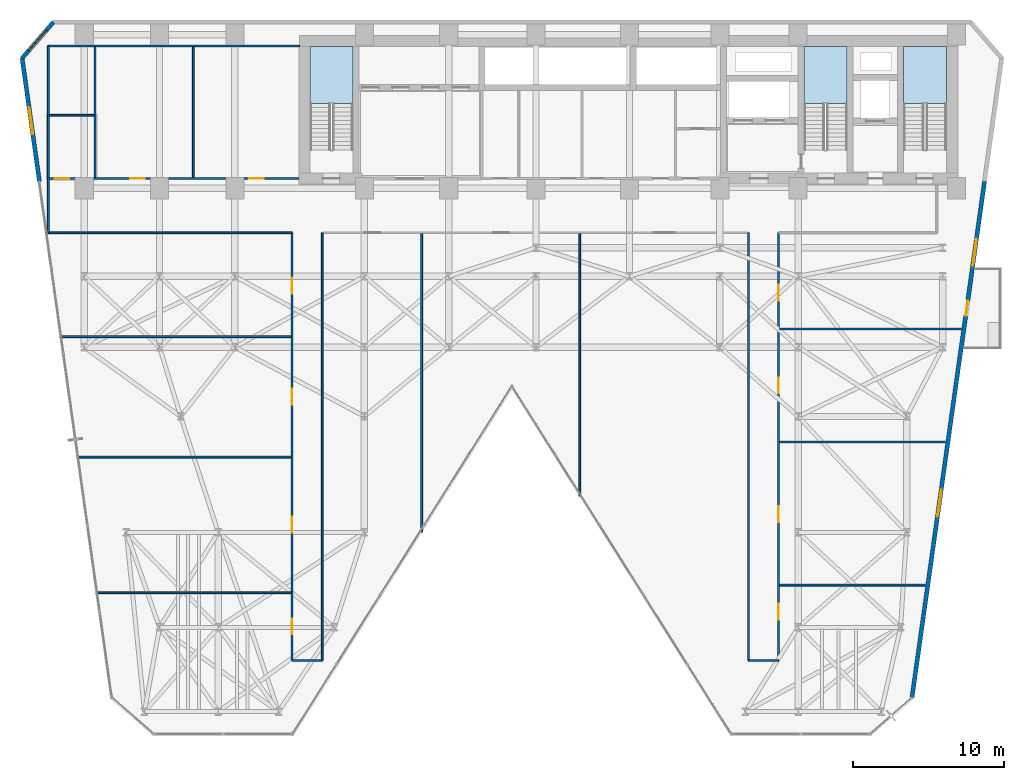
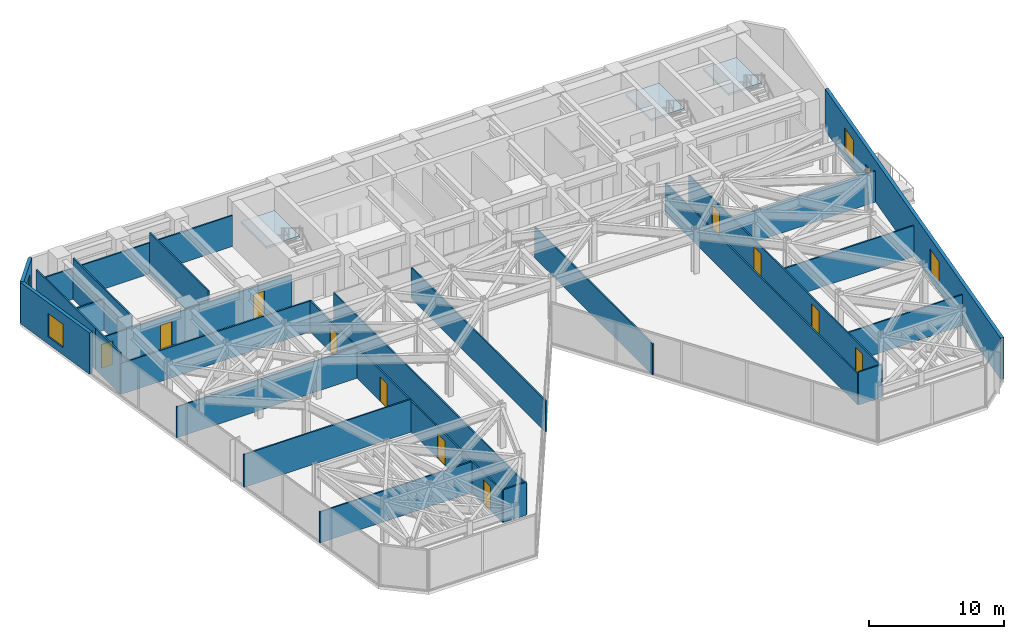
# One storey, part 19 of 25: 25 walls, 12 doors, 4 windows, 3 slabs, 16 openings, 3 elements without a shape of their own.
"""IFC4 building model written with IfcOpenShell, lengths in metres."""

import ifcopenshell
import ifcopenshell.guid

model = None  # the IFC model being written
_history = None  # IfcOwnerHistory: only IFC2X3 demands one
_inside = {}  # id of a spatial element -> (the spatial element, [elements in it])
_under = {}  # id of a project, library or spatial element -> (it, [spatial elements below it])
_declared = {}  # id of a project -> (the project, [libraries it declares])
_typed = {}  # id of a type object -> (the type object, [elements of that type])
_made_of = {}  # id of a material, layer set ... -> (it, [elements and type objects made of it])


def new_model(schema):
    """Start an empty IFC model of exactly this schema.

    Asked for "IFC4X3", IfcOpenShell would pick the latest addendum, in which some entities
    have other attributes; the version numbers below select the first issue.
    IFC2X3 requires an IfcOwnerHistory on every rooted entity: one is made here for all.
    """
    global model, _history
    if schema == "IFC4X3":
        model = ifcopenshell.file(schema_version=(4, 3, 0, 0))
    else:
        model = ifcopenshell.file(schema=schema)
    _inside.clear()
    _under.clear()
    _declared.clear()
    _typed.clear()
    _made_of.clear()
    _history = None
    if model.schema == "IFC2X3":
        org = make("IfcOrganization", Name="unknown")
        user = make(
            "IfcPersonAndOrganization",
            ThePerson=make("IfcPerson", FamilyName="unknown"),
            TheOrganization=org,
        )
        app = make(
            "IfcApplication",
            ApplicationDeveloper=org,
            Version="unknown",
            ApplicationFullName="unknown",
            ApplicationIdentifier="unknown",
        )
        _history = make(
            "IfcOwnerHistory",
            OwningUser=user,
            OwningApplication=app,
            ChangeAction="ADDED",
            CreationDate=0,
        )
    return model


def make(cls, **values):
    """One entity of the class cls with the attributes given. An attribute that is None is left unset."""
    return model.create_entity(
        cls, **{name: value for name, value in values.items() if value is not None}
    )


def rooted(cls, **values):
    """An entity with a GlobalId (a new one), such as an element, a storey or a relation."""
    return make(cls, GlobalId=ifcopenshell.guid.new(), OwnerHistory=_history, **values)


def si_unit(unit_type, name, prefix=None):
    """IfcSIUnit, for example si_unit("LENGTHUNIT", "METRE", prefix="MILLI")."""
    return make("IfcSIUnit", UnitType=unit_type, Prefix=prefix, Name=name)


def assignment(units):
    """IfcUnitAssignment: the units of a project."""
    return None if units is None else make("IfcUnitAssignment", Units=units)


def point(xyz):
    """IfcCartesianPoint."""
    return None if xyz is None else make("IfcCartesianPoint", Coordinates=xyz)


def direction(xyz):
    """IfcDirection."""
    return None if xyz is None else make("IfcDirection", DirectionRatios=xyz)


def frame(location, z_axis=None, x_axis=None):
    """IfcAxis2Placement3D, a coordinate frame: its origin and axes. An axis left out is left unset."""
    return make(
        "IfcAxis2Placement3D",
        Location=point(location),
        Axis=direction(z_axis),
        RefDirection=direction(x_axis),
    )


def frame_2d(location, x_axis=None):
    """IfcAxis2Placement2D, a coordinate frame in the plane: its origin and x axis."""
    return make(
        "IfcAxis2Placement2D", Location=point(location), RefDirection=direction(x_axis)
    )


def origin():
    """The frame at (0, 0, 0) with its axes left unset."""
    return frame((0.0, 0.0, 0.0))


def place(relative_to, where):
    """IfcLocalPlacement: puts the frame where relative to a parent placement (None: the world)."""
    return make(
        "IfcLocalPlacement", PlacementRelTo=relative_to, RelativePlacement=where
    )


def context(
    kind, dimensions, precision=None, world=None, true_north=None, identifier=None
):
    """IfcGeometricRepresentationContext, for example the 3D "Model" context."""
    return make(
        "IfcGeometricRepresentationContext",
        ContextIdentifier=identifier,
        ContextType=kind,
        CoordinateSpaceDimension=dimensions,
        Precision=precision,
        WorldCoordinateSystem=world,
        TrueNorth=true_north,
    )


def subcontext(parent, identifier, kind, view, scale=None):
    """IfcGeometricRepresentationSubContext, for example "Body" below "Model"."""
    return make(
        "IfcGeometricRepresentationSubContext",
        ContextIdentifier=identifier,
        ContextType=kind,
        ParentContext=parent,
        TargetScale=scale,
        TargetView=view,
    )


def project(units=None, contexts=None):
    """IfcProject with its units and contexts."""
    return rooted(
        "IfcProject",
        Name="project",
        RepresentationContexts=contexts,
        UnitsInContext=assignment(units),
    )


def spatial(cls, under=None, at=None, **own):
    """A site, building, storey or space (cls), placed at a placement, below another one or the project."""
    s = rooted(cls, ObjectPlacement=at, **own)
    if under is not None:
        _under.setdefault(under.id(), (under, []))[1].append(s)
    return s


def polyline(points):
    """IfcPolyline through the points."""
    return make("IfcPolyline", Points=[point(p) for p in points])


def profile(cls, at=None, kind="AREA", **sizes):
    """A parametric profile (cls). Its sizes go by their IFC names, for example OverallWidth=200.0."""
    return make(cls, ProfileType=kind, Position=at, **sizes)


def rectangle(**sizes):
    """IfcRectangleProfileDef."""
    return profile("IfcRectangleProfileDef", **sizes)


def outline(outer, holes=None, kind="AREA"):
    """IfcArbitraryClosedProfileDef: a profile drawn as a closed curve; with holes, ...WithVoids."""
    if holes is None:
        return make("IfcArbitraryClosedProfileDef", ProfileType=kind, OuterCurve=outer)
    return make(
        "IfcArbitraryProfileDefWithVoids",
        ProfileType=kind,
        OuterCurve=outer,
        InnerCurves=holes,
    )


def extrude(swept, where, along, depth):
    """IfcExtrudedAreaSolid: the profile swept, set in the frame where, extruded along a direction by depth."""
    return make(
        "IfcExtrudedAreaSolid",
        SweptArea=swept,
        Position=where,
        ExtrudedDirection=direction(along),
        Depth=depth,
    )


def shape(context_of_items, identifier, shape_type, items):
    """IfcShapeRepresentation: the items that make up one representation, for example the "Body"."""
    return make(
        "IfcShapeRepresentation",
        ContextOfItems=context_of_items,
        RepresentationIdentifier=identifier,
        RepresentationType=shape_type,
        Items=items,
    )


def material(Name=None, Category=None):
    """IfcMaterial."""
    return make("IfcMaterial", Name=Name, Category=Category)


def layer(
    of_material, thickness, ventilated=None, Name=None, Category=None, Priority=None
):
    """IfcMaterialLayer: one layer of a wall or slab, of a material (None: an air gap)."""
    return make(
        "IfcMaterialLayer",
        Material=of_material,
        LayerThickness=thickness,
        IsVentilated=ventilated,
        Name=Name,
        Category=Category,
        Priority=Priority,
    )


def layer_set(layers, Name=None):
    """IfcMaterialLayerSet."""
    return make("IfcMaterialLayerSet", MaterialLayers=layers, LayerSetName=Name)


def made_of(thing, what):
    """Note that an element or type object is made of a material, layer set ...; save() writes the relation."""
    if what is not None:
        _made_of.setdefault(what.id(), (what, []))[1].append(thing)
    return thing


def type_object(cls, material=None, **own):
    """A type object (cls), such as IfcWallType, which elements share."""
    return made_of(rooted(cls, **own), material)


def element(
    cls,
    number,
    at=None,
    inside=None,
    cuts=None,
    type_object=None,
    material=None,
    context=None,
    identifier="Body",
    shape_type=None,
    held_by="IfcProductDefinitionShape",
    body=None,
    shapes=None,
    **own,
):
    """One element of the class cls, such as IfcWall. Its Tag is "e" and its number.

    at: its placement. inside: the storey or other place that contains it. cuts: it is an
    opening in that element (IfcRelVoidsElement). A single representation is given by context,
    identifier, shape_type and body (its items); several are given by shapes. held_by: the class
    of the entity that holds the representations. save() writes the other relations.
    """
    e = rooted(cls, Tag="e%d" % number, ObjectPlacement=at, **own)
    if body is not None:
        shapes = [shape(context, identifier, shape_type, body)]
    if shapes is not None:
        e.Representation = make(held_by, Representations=shapes)
    if inside is not None:
        _inside.setdefault(inside.id(), (inside, []))[1].append(e)
    if cuts is not None:
        rooted(
            "IfcRelVoidsElement", RelatingBuildingElement=cuts, RelatedOpeningElement=e
        )
    if type_object is not None:
        _typed.setdefault(type_object.id(), (type_object, []))[1].append(e)
    return made_of(e, material)


def fill(opening, filler):
    """IfcRelFillsElement: the door or window that sits in an opening."""
    return rooted(
        "IfcRelFillsElement",
        RelatingOpeningElement=opening,
        RelatedBuildingElement=filler,
    )


def aggregate(whole, parts):
    """IfcRelAggregates: a whole, such as a stair, and the parts it consists of."""
    return rooted("IfcRelAggregates", RelatingObject=whole, RelatedObjects=parts)


def save(model, path):
    """Write the relations noted so far, then the file.

    IfcRelAggregates (storeys below a building ...), IfcRelContainedInSpatialStructure (elements
    in a storey), IfcRelDefinesByType, IfcRelAssociatesMaterial and IfcRelDeclares: one each for
    every whole, place, type object, material and project.
    """
    for whole, parts in _under.values():
        aggregate(whole, parts)
    for where, things in _inside.values():
        rooted(
            "IfcRelContainedInSpatialStructure",
            RelatedElements=things,
            RelatingStructure=where,
        )
    for kind, things in _typed.values():
        rooted("IfcRelDefinesByType", RelatedObjects=things, RelatingType=kind)
    for what, things in _made_of.values():
        rooted("IfcRelAssociatesMaterial", RelatedObjects=things, RelatingMaterial=what)
    for by, libraries in _declared.values():
        rooted("IfcRelDeclares", RelatingContext=by, RelatedDefinitions=libraries)
    model.write(path)


model = new_model("IFC4")

# Units and contexts
model_context = context("Model", 3, precision=1e-05, world=origin(), true_north=direction((0.0, 1.0)))
body_context = subcontext(model_context, "Body", "Model", "MODEL_VIEW")
ifc_project = project(units=[si_unit("LENGTHUNIT", "METRE"), si_unit("AREAUNIT", "SQUARE_METRE"), si_unit("VOLUMEUNIT", "CUBIC_METRE"), si_unit("PLANEANGLEUNIT", "RADIAN"), si_unit("MASSUNIT", "GRAM", prefix="KILO")], contexts=[model_context])

# Site, building, storey
site_placement = place(None, origin())
site = spatial("IfcSite", under=ifc_project, at=site_placement, CompositionType="ELEMENT")
building_placement = place(site_placement, origin())
building = spatial("IfcBuilding", under=site, at=building_placement, Name="Kravanh Interchange Tower", CompositionType="ELEMENT")
storey_placement = place(building_placement, frame((0.0, 0.0, 81.5)))
storey = spatial("IfcBuildingStorey", under=building, at=storey_placement, Name="L19", CompositionType="ELEMENT", Elevation=81.5)

# Stair, slab
ifc_material_1 = material(Name="Concrete C50/60", Category="concrete")
stair_type = type_object("IfcStairType", Name="Core Fire Exit Dogleg Stair Concrete C50/60", PredefinedType="HALF_TURN_STAIR", material=ifc_material_1)
stair_1_placement = place(storey_placement, origin())
stair_1 = element("IfcStair", 1, at=stair_1_placement, inside=storey, type_object=stair_type, Name="L19 Exit Stair ST1", PredefinedType="HALF_TURN_STAIR")
ifc_material_2 = material(Name="Concrete C50/60", Category="concrete")
ifc_layer_1 = layer(ifc_material_2, 0.199951171875)
ifc_layer_set_1 = layer_set([ifc_layer_1], Name="Concrete C50/60 Stair Half-Landing Slab 200mm")
slab_type = type_object("IfcSlabType", Name="Concrete C50/60 Stair Half-Landing Slab 200mm", PredefinedType="LANDING", material=ifc_layer_set_1)
slab_1_placement = place(storey_placement, frame((0.0, 0.0, 1.800048828125)))
slab_1 = element("IfcSlab", 2, at=slab_1_placement, type_object=slab_type, Name="ST1 landing 1", PredefinedType="LANDING", context=body_context, shape_type="SweptSolid", body=[
    extrude(outline(polyline([(65.85009765625, 42.97998046875), (65.85009765625, 46.75), (63.0, 46.75), (63.0, 42.97998046875), (65.85009765625, 42.97998046875)])), origin(), (0.0, 0.0, 1.0), 0.199951171875),
])
aggregate(stair_1, [slab_1])

stair_2_placement = place(storey_placement, origin())
stair_2 = element("IfcStair", 3, at=stair_2_placement, inside=storey, type_object=stair_type, Name="L19 Exit Stair ST2", PredefinedType="HALF_TURN_STAIR")
slab_2_placement = place(storey_placement, frame((0.0, 0.0, 1.800048828125)))
slab_2 = element("IfcSlab", 4, at=slab_2_placement, type_object=slab_type, Name="ST2 landing 1", PredefinedType="LANDING", context=body_context, shape_type="SweptSolid", body=[
    extrude(outline(polyline([(59.25, 42.97998046875), (59.25, 46.75), (56.39990234375, 46.75), (56.39990234375, 42.97998046875), (59.25, 42.97998046875)])), origin(), (0.0, 0.0, 1.0), 0.199951171875),
])
aggregate(stair_2, [slab_2])

stair_3_placement = place(storey_placement, origin())
stair_3 = element("IfcStair", 5, at=stair_3_placement, inside=storey, type_object=stair_type, Name="L19 Exit Stair ST3", PredefinedType="HALF_TURN_STAIR")
slab_3_placement = place(storey_placement, frame((0.0, 0.0, 1.800048828125)))
slab_3 = element("IfcSlab", 6, at=slab_3_placement, type_object=slab_type, Name="ST3 landing 1", PredefinedType="LANDING", context=body_context, shape_type="SweptSolid", body=[
    extrude(outline(polyline([(26.449951171875, 42.97998046875), (26.449951171875, 46.75), (23.60009765625, 46.75), (23.60009765625, 42.97998046875), (26.449951171875, 42.97998046875)])), origin(), (0.0, 0.0, 1.0), 0.199951171875),
])
aggregate(stair_3, [slab_3])

# Wall, openings, doors
ifc_material_3 = material(Name="Double Acoustic Gypsum Board and Mineral Wool")
ifc_layer_2 = layer(ifc_material_3, 0.1201171875)
ifc_layer_set_2 = layer_set([ifc_layer_2], Name="Acoustic Office Drywall Partition 120mm")
wall_type_1 = type_object("IfcWallType", Name="Acoustic Office Drywall Partition 120mm", PredefinedType="PARTITIONING", material=ifc_layer_set_2)
wall_1_placement = place(storey_placement, frame((6.219970703125, 38.0, 0.0), z_axis=(0.0, 0.0, 1.0), x_axis=(1.0, 0.0, 0.0)))
wall_1 = element("IfcWall", 7, at=wall_1_placement, inside=storey, type_object=wall_type_1, Name="L19 Restroom Corridor Wall 9", PredefinedType="PARTITIONING", context=body_context, shape_type="SweptSolid", body=[
    extrude(rectangle(XDim=16.630126953125, YDim=0.1201171875, at=frame_2d((8.31494140625, 0.0))), origin(), (0.0, 0.0, 1.0), 2.79296875),
])
opening_1_placement = place(wall_1_placement, frame((0.424072265625, 0.0, 0.0)))
opening_1 = element("IfcOpeningElement", 8, at=opening_1_placement, cuts=wall_1, Name="Opening D-95", PredefinedType="OPENING", context=body_context, shape_type="SweptSolid", body=[
    extrude(rectangle(XDim=0.949951171875, YDim=2.14990234375, at=frame_2d((0.47509765625, 1.074951171875))), frame((0.0, 0.070068359375, 0.0), z_axis=(0.0, -1.0, 0.0), x_axis=(1.0, 0.0, 0.0)), (0.0, 0.0, 1.0), 0.14013671875),
])
opening_2_placement = place(wall_1_placement, frame((5.444091796875, 0.0, 0.0)))
opening_2 = element("IfcOpeningElement", 9, at=opening_2_placement, cuts=wall_1, Name="Opening D-95", PredefinedType="OPENING", context=body_context, shape_type="SweptSolid", body=[
    extrude(rectangle(XDim=0.949951171875, YDim=2.14990234375, at=frame_2d((0.47509765625, 1.074951171875))), frame((0.0, 0.070068359375, 0.0), z_axis=(0.0, -1.0, 0.0), x_axis=(1.0, 0.0, 0.0)), (0.0, 0.0, 1.0), 0.14013671875),
])
opening_3_placement = place(wall_1_placement, frame((13.343994140625, 0.0, 0.0)))
opening_3 = element("IfcOpeningElement", 10, at=opening_3_placement, cuts=wall_1, Name="Opening D-95", PredefinedType="OPENING", context=body_context, shape_type="SweptSolid", body=[
    extrude(rectangle(XDim=0.949951171875, YDim=2.14990234375, at=frame_2d((0.47509765625, 1.074951171875))), frame((0.0, 0.070068359375, 0.0), z_axis=(0.0, -1.0, 0.0), x_axis=(1.0, 0.0, 0.0)), (0.0, 0.0, 1.0), 0.14013671875),
])
ifc_material_4 = material(Name="Laminate Solid-Core Timber", Category="wood")
door_type_1 = type_object("IfcDoorType", Name="Accessible Restroom Door 950x2150", OperationType="NOTDEFINED", PredefinedType="DOOR", material=ifc_material_4)
door_1_placement = place(opening_1_placement, origin())
door_1 = element("IfcDoor", 11, at=door_1_placement, inside=storey, type_object=door_type_1, Name="L19 Accessible WC Door", OperationType="SINGLE_SWING_LEFT", OverallHeight=2.14990234375, OverallWidth=0.949951171875, PredefinedType="DOOR", context=body_context, shape_type="SweptSolid", body=[
    extrude(rectangle(XDim=0.949951171875, YDim=2.14990234375, at=frame_2d((0.47509765625, 1.074951171875))), frame((0.0, 0.02490234375, 0.0), z_axis=(0.0, -1.0, 0.0), x_axis=(1.0, 0.0, 0.0)), (0.0, 0.0, 1.0), 0.050048828125),
])
fill(opening_1, door_1)
door_2_placement = place(opening_2_placement, origin())
door_2 = element("IfcDoor", 12, at=door_2_placement, inside=storey, type_object=door_type_1, Name="L19 Female WC Door", OperationType="SINGLE_SWING_RIGHT", OverallHeight=2.14990234375, OverallWidth=0.949951171875, PredefinedType="DOOR", context=body_context, shape_type="SweptSolid", body=[
    extrude(rectangle(XDim=0.949951171875, YDim=2.14990234375, at=frame_2d((0.47509765625, 1.074951171875))), frame((0.0, 0.02490234375, 0.0), z_axis=(0.0, -1.0, 0.0), x_axis=(1.0, 0.0, 0.0)), (0.0, 0.0, 1.0), 0.050048828125),
])
fill(opening_2, door_2)
door_3_placement = place(opening_3_placement, origin())
door_3 = element("IfcDoor", 13, at=door_3_placement, inside=storey, type_object=door_type_1, Name="L19 Male WC Door", OperationType="SINGLE_SWING_LEFT", OverallHeight=2.14990234375, OverallWidth=0.949951171875, PredefinedType="DOOR", context=body_context, shape_type="SweptSolid", body=[
    extrude(rectangle(XDim=0.949951171875, YDim=2.14990234375, at=frame_2d((0.47509765625, 1.074951171875))), frame((0.0, 0.02490234375, 0.0), z_axis=(0.0, -1.0, 0.0), x_axis=(1.0, 0.0, 0.0)), (0.0, 0.0, 1.0), 0.050048828125),
])
fill(opening_3, door_3)

# Walls
wall_2_placement = place(storey_placement, frame((6.219970703125, 38.0, 0.0), z_axis=(0.0, 0.0, 1.0), x_axis=(0.0, 1.0, 0.0)))
element("IfcWall", 14, at=wall_2_placement, inside=storey, type_object=wall_type_1, Name="L19 Restroom West Enclosure 10", PredefinedType="PARTITIONING", context=body_context, shape_type="SweptSolid", body=[
    extrude(rectangle(XDim=8.800048828125, YDim=0.1201171875, at=frame_2d((4.39990234375, 0.0))), origin(), (0.0, 0.0, 1.0), 3.719970703125),
])
wall_3_placement = place(storey_placement, frame((6.219970703125, 46.800048828125, 0.0), z_axis=(0.0, 0.0, 1.0), x_axis=(1.0, 0.0, 0.0)))
element("IfcWall", 15, at=wall_3_placement, inside=storey, type_object=wall_type_1, Name="L19 Restroom North Enclosure 11", PredefinedType="PARTITIONING", context=body_context, shape_type="SweptSolid", body=[
    extrude(rectangle(XDim=16.679931640625, YDim=0.1201171875, at=frame_2d((8.33984375, 0.0))), origin(), (0.0, 0.0, 1.0), 2.79296875),
])
for number, where, z_axis, x_axis, name in (
    (16, (9.320068359375, 38.068115234375, 0.0), (0.0, 0.0, 1.0), (0.0, 1.0, 0.0), "L19 Interior Partition 12"),
    (17, (15.840087890625, 38.068115234375, 0.0), (0.0, 0.0, 1.0), (0.0, 1.0, 0.0), "L19 Interior Partition 13"),
):
    element("IfcWall", number, at=place(storey_placement, frame(where, z_axis=z_axis, x_axis=x_axis)), inside=storey, type_object=wall_type_1, Name=name, PredefinedType="PARTITIONING", context=body_context, shape_type="SweptSolid", body=[
        extrude(rectangle(XDim=8.663818359375, YDim=0.1201171875, at=frame_2d((4.33203125, 0.0))), origin(), (0.0, 0.0, 1.0), 3.719970703125),
    ])
wall_4_placement = place(storey_placement, frame((6.2880859375, 42.199951171875, 0.0), z_axis=(0.0, 0.0, 1.0), x_axis=(1.0, 0.0, 0.0)))
element("IfcWall", 18, at=wall_4_placement, inside=storey, type_object=wall_type_1, Name="L19 Interior Partition 14", PredefinedType="PARTITIONING", context=body_context, shape_type="SweptSolid", body=[
    extrude(rectangle(XDim=2.9638671875, YDim=0.1201171875, at=frame_2d((1.48193359375, 0.0))), origin(), (0.0, 0.0, 1.0), 2.79296875),
])
wall_5_placement = place(storey_placement, frame((6.219970703125, 34.39990234375, 0.0), z_axis=(0.0, 0.0, 1.0), x_axis=(1.0, 0.0, 0.0)))
element("IfcWall", 19, at=wall_5_placement, inside=storey, type_object=wall_type_1, Name="L19 Interior Partition 15", PredefinedType="PARTITIONING", context=body_context, shape_type="SweptSolid", body=[
    extrude(rectangle(XDim=16.179931640625, YDim=0.1201171875, at=frame_2d((8.08984375, 0.0))), origin(), (0.0, 0.0, 1.0), 2.79296875),
])
wall_6_placement = place(storey_placement, frame((6.219970703125, 34.39990234375, 0.0), z_axis=(0.0, 0.0, 1.0), x_axis=(0.0, 1.0, 0.0)))
element("IfcWall", 20, at=wall_6_placement, inside=storey, type_object=wall_type_1, Name="L19 Interior Partition 18", PredefinedType="PARTITIONING", context=body_context, shape_type="SweptSolid", body=[
    extrude(rectangle(XDim=3.650146484375, YDim=0.1201171875, at=frame_2d((1.8251953125, 0.0))), origin(), (0.0, 0.0, 1.0), 3.719970703125),
])

# Wall, openings, doors
wall_7_placement = place(storey_placement, frame((22.39990234375, 6.0, 0.0), z_axis=(0.0, 0.0, 1.0), x_axis=(0.0, 1.0, 0.0)))
wall_7 = element("IfcWall", 21, at=wall_7_placement, inside=storey, type_object=wall_type_1, Name="L19 Interior Partition 20", PredefinedType="PARTITIONING", context=body_context, shape_type="SweptSolid", body=[
    extrude(rectangle(XDim=28.39990234375, YDim=0.1201171875, at=frame_2d((14.199951171875, 0.0))), origin(), (0.0, 0.0, 1.0), 2.79296875),
])
opening_4_placement = place(wall_7_placement, frame((1.72509765625, 0.0, 0.0)))
opening_4 = element("IfcOpeningElement", 22, at=opening_4_placement, cuts=wall_7, Name="Opening D-105", PredefinedType="OPENING", context=body_context, shape_type="SweptSolid", body=[
    extrude(rectangle(XDim=1.050048828125, YDim=2.199951171875, at=frame_2d((0.52490234375, 1.10009765625))), frame((0.0, 0.070068359375, 0.0), z_axis=(0.0, -1.0, 0.0), x_axis=(1.0, 0.0, 0.0)), (0.0, 0.0, 1.0), 0.14013671875),
])
opening_5_placement = place(wall_7_placement, frame((8.47509765625, 0.0, 0.0)))
opening_5 = element("IfcOpeningElement", 23, at=opening_5_placement, cuts=wall_7, Name="Opening D-105", PredefinedType="OPENING", context=body_context, shape_type="SweptSolid", body=[
    extrude(rectangle(XDim=1.050048828125, YDim=2.199951171875, at=frame_2d((0.52490234375, 1.10009765625))), frame((0.0, 0.070068359375, 0.0), z_axis=(0.0, -1.0, 0.0), x_axis=(1.0, 0.0, 0.0)), (0.0, 0.0, 1.0), 0.14013671875),
])
opening_6_placement = place(wall_7_placement, frame((16.97509765625, 0.0, 0.0)))
opening_6 = element("IfcOpeningElement", 24, at=opening_6_placement, cuts=wall_7, Name="Opening D-105", PredefinedType="OPENING", context=body_context, shape_type="SweptSolid", body=[
    extrude(rectangle(XDim=1.050048828125, YDim=2.199951171875, at=frame_2d((0.52490234375, 1.10009765625))), frame((0.0, 0.070068359375, 0.0), z_axis=(0.0, -1.0, 0.0), x_axis=(1.0, 0.0, 0.0)), (0.0, 0.0, 1.0), 0.14013671875),
])
opening_7_placement = place(wall_7_placement, frame((24.359375, 0.0, 0.0)))
opening_7 = element("IfcOpeningElement", 25, at=opening_7_placement, cuts=wall_7, Name="Opening D-105", PredefinedType="OPENING", context=body_context, shape_type="SweptSolid", body=[
    extrude(rectangle(XDim=1.050048828125, YDim=2.199951171875, at=frame_2d((0.52490234375, 1.10009765625))), frame((0.0, 0.070068359375, 0.0), z_axis=(0.0, -1.0, 0.0), x_axis=(1.0, 0.0, 0.0)), (0.0, 0.0, 1.0), 0.14013671875),
])
ifc_material_5 = material(Name="Acoustic Glazed Oak and Aluminium", Category="aluminium")
door_type_2 = type_object("IfcDoorType", Name="Office Workplace Door 1050x2200", OperationType="NOTDEFINED", PredefinedType="DOOR", material=ifc_material_5)
door_4_placement = place(opening_4_placement, origin())
door_4 = element("IfcDoor", 26, at=door_4_placement, inside=storey, type_object=door_type_2, Name="L19 Venture Office A Door", OperationType="SINGLE_SWING_RIGHT", OverallHeight=2.199951171875, OverallWidth=1.050048828125, PredefinedType="DOOR", context=body_context, shape_type="SweptSolid", body=[
    extrude(rectangle(XDim=1.050048828125, YDim=2.199951171875, at=frame_2d((0.52490234375, 1.10009765625))), frame((0.0, 0.02490234375, 0.0), z_axis=(0.0, -1.0, 0.0), x_axis=(1.0, 0.0, 0.0)), (0.0, 0.0, 1.0), 0.050048828125),
])
fill(opening_4, door_4)
door_5_placement = place(opening_5_placement, origin())
door_5 = element("IfcDoor", 27, at=door_5_placement, inside=storey, type_object=door_type_2, Name="L19 West Balcony Lounge Door", OperationType="SINGLE_SWING_LEFT", OverallHeight=2.199951171875, OverallWidth=1.050048828125, PredefinedType="DOOR", context=body_context, shape_type="SweptSolid", body=[
    extrude(rectangle(XDim=1.050048828125, YDim=2.199951171875, at=frame_2d((0.52490234375, 1.10009765625))), frame((0.0, 0.02490234375, 0.0), z_axis=(0.0, -1.0, 0.0), x_axis=(1.0, 0.0, 0.0)), (0.0, 0.0, 1.0), 0.050048828125),
])
fill(opening_5, door_5)
door_6_placement = place(opening_6_placement, origin())
door_6 = element("IfcDoor", 28, at=door_6_placement, inside=storey, type_object=door_type_2, Name="L19 Quantitative Study A Door", OperationType="SINGLE_SWING_RIGHT", OverallHeight=2.199951171875, OverallWidth=1.050048828125, PredefinedType="DOOR", context=body_context, shape_type="SweptSolid", body=[
    extrude(rectangle(XDim=1.050048828125, YDim=2.199951171875, at=frame_2d((0.52490234375, 1.10009765625))), frame((0.0, 0.02490234375, 0.0), z_axis=(0.0, -1.0, 0.0), x_axis=(1.0, 0.0, 0.0)), (0.0, 0.0, 1.0), 0.050048828125),
])
fill(opening_6, door_6)
door_7_placement = place(opening_7_placement, origin())
door_7 = element("IfcDoor", 29, at=door_7_placement, inside=storey, type_object=door_type_2, Name="L19 Quantitative Study B Door", OperationType="SINGLE_SWING_LEFT", OverallHeight=2.199951171875, OverallWidth=1.050048828125, PredefinedType="DOOR", context=body_context, shape_type="SweptSolid", body=[
    extrude(rectangle(XDim=1.050048828125, YDim=2.199951171875, at=frame_2d((0.52490234375, 1.10009765625))), frame((0.0, 0.02490234375, 0.0), z_axis=(0.0, -1.0, 0.0), x_axis=(1.0, 0.0, 0.0)), (0.0, 0.0, 1.0), 0.050048828125),
])
fill(opening_7, door_7)

# Walls
wall_8_placement = place(storey_placement, frame((24.39990234375, 6.0, 0.0), z_axis=(0.0, 0.0, 1.0), x_axis=(0.0, 1.0, 0.0)))
element("IfcWall", 30, at=wall_8_placement, inside=storey, type_object=wall_type_1, Name="L19 Interior Partition 21", PredefinedType="PARTITIONING", context=body_context, shape_type="SweptSolid", body=[
    extrude(rectangle(XDim=28.39990234375, YDim=0.1201171875, at=frame_2d((14.199951171875, 0.0))), origin(), (0.0, 0.0, 1.0), 2.79296875),
])
wall_9_placement = place(storey_placement, frame((22.39990234375, 6.0, 0.0), z_axis=(0.0, 0.0, 1.0), x_axis=(1.0, 0.0, 0.0)))
element("IfcWall", 31, at=wall_9_placement, inside=storey, type_object=wall_type_1, Name="L19 Interior Partition 22", PredefinedType="PARTITIONING", context=body_context, shape_type="SweptSolid", body=[
    extrude(rectangle(XDim=2.0, YDim=0.1201171875, at=frame_2d((1.0, 0.0))), origin(), (0.0, 0.0, 1.0), 2.9580078125),
])
wall_10_placement = place(storey_placement, frame((52.699951171875, 6.0, 0.0), z_axis=(0.0, 0.0, 1.0), x_axis=(0.0, 1.0, 0.0)))
element("IfcWall", 32, at=wall_10_placement, inside=storey, type_object=wall_type_1, Name="L19 Interior Partition 23", PredefinedType="PARTITIONING", context=body_context, shape_type="SweptSolid", body=[
    extrude(rectangle(XDim=28.39990234375, YDim=0.1201171875, at=frame_2d((14.199951171875, 0.0))), origin(), (0.0, 0.0, 1.0), 2.79296875),
])

# Wall, openings, doors
wall_11_placement = place(storey_placement, frame((54.699951171875, 6.0, 0.0), z_axis=(0.0, 0.0, 1.0), x_axis=(0.0, 1.0, 0.0)))
wall_11 = element("IfcWall", 33, at=wall_11_placement, inside=storey, type_object=wall_type_1, Name="L19 Interior Partition 24", PredefinedType="PARTITIONING", context=body_context, shape_type="SweptSolid", body=[
    extrude(rectangle(XDim=28.39990234375, YDim=0.1201171875, at=frame_2d((14.199951171875, 0.0))), origin(), (0.0, 0.0, 1.0), 2.79296875),
])
opening_8_placement = place(wall_11_placement, frame((2.709228515625, 0.0, 0.0)))
opening_8 = element("IfcOpeningElement", 34, at=opening_8_placement, cuts=wall_11, Name="Opening D-105", PredefinedType="OPENING", context=body_context, shape_type="SweptSolid", body=[
    extrude(rectangle(XDim=1.050048828125, YDim=2.199951171875, at=frame_2d((0.52490234375, 1.10009765625))), frame((0.0, 0.070068359375, 0.0), z_axis=(0.0, -1.0, 0.0), x_axis=(1.0, 0.0, 0.0)), (0.0, 0.0, 1.0), 0.14013671875),
])
opening_9_placement = place(wall_11_placement, frame((9.18505859375, 0.0, 0.0)))
opening_9 = element("IfcOpeningElement", 35, at=opening_9_placement, cuts=wall_11, Name="Opening D-105", PredefinedType="OPENING", context=body_context, shape_type="SweptSolid", body=[
    extrude(rectangle(XDim=1.050048828125, YDim=2.199951171875, at=frame_2d((0.52490234375, 1.10009765625))), frame((0.0, 0.070068359375, 0.0), z_axis=(0.0, -1.0, 0.0), x_axis=(1.0, 0.0, 0.0)), (0.0, 0.0, 1.0), 0.14013671875),
])
opening_10_placement = place(wall_11_placement, frame((17.72509765625, 0.0, 0.0)))
opening_10 = element("IfcOpeningElement", 36, at=opening_10_placement, cuts=wall_11, Name="Opening D-105", PredefinedType="OPENING", context=body_context, shape_type="SweptSolid", body=[
    extrude(rectangle(XDim=1.050048828125, YDim=2.199951171875, at=frame_2d((0.52490234375, 1.10009765625))), frame((0.0, 0.070068359375, 0.0), z_axis=(0.0, -1.0, 0.0), x_axis=(1.0, 0.0, 0.0)), (0.0, 0.0, 1.0), 0.14013671875),
])
opening_11_placement = place(wall_11_placement, frame((23.880615234375, 0.0, 0.0)))
opening_11 = element("IfcOpeningElement", 37, at=opening_11_placement, cuts=wall_11, Name="Opening D-105", PredefinedType="OPENING", context=body_context, shape_type="SweptSolid", body=[
    extrude(rectangle(XDim=1.050048828125, YDim=2.199951171875, at=frame_2d((0.52490234375, 1.10009765625))), frame((0.0, 0.070068359375, 0.0), z_axis=(0.0, -1.0, 0.0), x_axis=(1.0, 0.0, 0.0)), (0.0, 0.0, 1.0), 0.14013671875),
])
door_8_placement = place(opening_8_placement, origin())
door_8 = element("IfcDoor", 38, at=door_8_placement, inside=storey, type_object=door_type_2, Name="L19 Founder Lounge Door", OperationType="SINGLE_SWING_RIGHT", OverallHeight=2.199951171875, OverallWidth=1.050048828125, PredefinedType="DOOR", context=body_context, shape_type="SweptSolid", body=[
    extrude(rectangle(XDim=1.050048828125, YDim=2.199951171875, at=frame_2d((0.52490234375, 1.10009765625))), frame((0.0, 0.02490234375, 0.0), z_axis=(0.0, -1.0, 0.0), x_axis=(1.0, 0.0, 0.0)), (0.0, 0.0, 1.0), 0.050048828125),
])
fill(opening_8, door_8)
door_9_placement = place(opening_9_placement, origin())
door_9 = element("IfcDoor", 39, at=door_9_placement, inside=storey, type_object=door_type_2, Name="L19 East Partner Office Door", OperationType="SINGLE_SWING_LEFT", OverallHeight=2.199951171875, OverallWidth=1.050048828125, PredefinedType="DOOR", context=body_context, shape_type="SweptSolid", body=[
    extrude(rectangle(XDim=1.050048828125, YDim=2.199951171875, at=frame_2d((0.52490234375, 1.10009765625))), frame((0.0, 0.02490234375, 0.0), z_axis=(0.0, -1.0, 0.0), x_axis=(1.0, 0.0, 0.0)), (0.0, 0.0, 1.0), 0.050048828125),
])
fill(opening_9, door_9)
door_10_placement = place(opening_10_placement, origin())
door_10 = element("IfcDoor", 40, at=door_10_placement, inside=storey, type_object=door_type_2, Name="L19 East Balcony Office Door", OperationType="SINGLE_SWING_RIGHT", OverallHeight=2.199951171875, OverallWidth=1.050048828125, PredefinedType="DOOR", context=body_context, shape_type="SweptSolid", body=[
    extrude(rectangle(XDim=1.050048828125, YDim=2.199951171875, at=frame_2d((0.52490234375, 1.10009765625))), frame((0.0, 0.02490234375, 0.0), z_axis=(0.0, -1.0, 0.0), x_axis=(1.0, 0.0, 0.0)), (0.0, 0.0, 1.0), 0.050048828125),
])
fill(opening_10, door_10)
door_11_placement = place(opening_11_placement, origin())
door_11 = element("IfcDoor", 41, at=door_11_placement, inside=storey, type_object=door_type_2, Name="L19 Design Library Study Door", OperationType="SINGLE_SWING_LEFT", OverallHeight=2.199951171875, OverallWidth=1.050048828125, PredefinedType="DOOR", context=body_context, shape_type="SweptSolid", body=[
    extrude(rectangle(XDim=1.050048828125, YDim=2.199951171875, at=frame_2d((0.52490234375, 1.10009765625))), frame((0.0, 0.02490234375, 0.0), z_axis=(0.0, -1.0, 0.0), x_axis=(1.0, 0.0, 0.0)), (0.0, 0.0, 1.0), 0.050048828125),
])
fill(opening_11, door_11)

# Walls
wall_12_placement = place(storey_placement, frame((52.699951171875, 6.0, 0.0), z_axis=(0.0, 0.0, 1.0), x_axis=(1.0, 0.0, 0.0)))
element("IfcWall", 42, at=wall_12_placement, inside=storey, type_object=wall_type_1, Name="L19 Interior Partition 25", PredefinedType="PARTITIONING", context=body_context, shape_type="SweptSolid", body=[
    extrude(rectangle(XDim=2.0, YDim=0.1201171875, at=frame_2d((1.0, 0.0))), origin(), (0.0, 0.0, 1.0), 2.9580078125),
])
wall_13_placement = place(storey_placement, frame((9.355712890625, 10.5, 0.0), z_axis=(0.0, 0.0, 1.0), x_axis=(1.0, 0.0, 0.0)))
element("IfcWall", 43, at=wall_13_placement, inside=storey, type_object=wall_type_1, Name="L19 Interior Partition 26", PredefinedType="PARTITIONING", context=body_context, shape_type="SweptSolid", body=[
    extrude(rectangle(XDim=12.976318359375, YDim=0.1201171875, at=frame_2d((6.48828125, 0.0))), origin(), (0.0, 0.0, 1.0), 2.79296875),
])
wall_14_placement = place(storey_placement, frame((8.0908203125, 19.5, 0.0), z_axis=(0.0, 0.0, 1.0), x_axis=(1.0, 0.0, 0.0)))
element("IfcWall", 44, at=wall_14_placement, inside=storey, type_object=wall_type_1, Name="L19 Interior Partition 27", PredefinedType="PARTITIONING", context=body_context, shape_type="SweptSolid", body=[
    extrude(rectangle(XDim=14.2412109375, YDim=0.1201171875, at=frame_2d((7.12060546875, 0.0))), origin(), (0.0, 0.0, 1.0), 2.9580078125),
])
wall_15_placement = place(storey_placement, frame((6.966552734375, 27.5, 0.0), z_axis=(0.0, 0.0, 1.0), x_axis=(1.0, 0.0, 0.0)))
element("IfcWall", 45, at=wall_15_placement, inside=storey, type_object=wall_type_1, Name="L19 Interior Partition 28", PredefinedType="PARTITIONING", context=body_context, shape_type="SweptSolid", body=[
    extrude(rectangle(XDim=15.365478515625, YDim=0.1201171875, at=frame_2d((7.6826171875, 0.0))), origin(), (0.0, 0.0, 1.0), 2.79296875),
])
wall_16_placement = place(storey_placement, frame((54.76806640625, 11.0, 0.0), z_axis=(0.0, 0.0, 1.0), x_axis=(1.0, 0.0, 0.0)))
element("IfcWall", 46, at=wall_16_placement, inside=storey, type_object=wall_type_1, Name="L19 Interior Partition 29", PredefinedType="PARTITIONING", context=body_context, shape_type="SweptSolid", body=[
    extrude(rectangle(XDim=9.673828125, YDim=0.1201171875, at=frame_2d((4.8369140625, 0.0))), origin(), (0.0, 0.0, 1.0), 2.79296875),
])
wall_17_placement = place(storey_placement, frame((54.76806640625, 20.5, 0.0), z_axis=(0.0, 0.0, 1.0), x_axis=(1.0, 0.0, 0.0)))
element("IfcWall", 47, at=wall_17_placement, inside=storey, type_object=wall_type_1, Name="L19 Interior Partition 30", PredefinedType="PARTITIONING", context=body_context, shape_type="SweptSolid", body=[
    extrude(rectangle(XDim=11.009033203125, YDim=0.1201171875, at=frame_2d((5.50439453125, 0.0))), origin(), (0.0, 0.0, 1.0), 2.79296875),
])
wall_18_placement = place(storey_placement, frame((54.76806640625, 28.0, 0.0), z_axis=(0.0, 0.0, 1.0), x_axis=(1.0, 0.0, 0.0)))
element("IfcWall", 48, at=wall_18_placement, inside=storey, type_object=wall_type_1, Name="L19 Interior Partition 31", PredefinedType="PARTITIONING", context=body_context, shape_type="SweptSolid", body=[
    extrude(rectangle(XDim=12.06298828125, YDim=0.1201171875, at=frame_2d((6.031494140625, 0.0))), origin(), (0.0, 0.0, 1.0), 2.79296875),
])
wall_19_placement = place(storey_placement, frame((31.0, 14.510986328125, 0.0), z_axis=(0.0, 0.0, 1.0), x_axis=(0.0, 1.0, 0.0)))
element("IfcWall", 49, at=wall_19_placement, inside=storey, type_object=wall_type_1, Name="L19 Interior Partition 32", PredefinedType="PARTITIONING", context=body_context, shape_type="SweptSolid", body=[
    extrude(rectangle(XDim=19.821044921875, YDim=0.1201171875, at=frame_2d((9.91064453125, 0.0))), origin(), (0.0, 0.0, 1.0), 2.79296875),
])
wall_20_placement = place(storey_placement, frame((41.5, 16.89013671875, 0.0), z_axis=(0.0, 0.0, 1.0), x_axis=(0.0, 1.0, 0.0)))
element("IfcWall", 50, at=wall_20_placement, inside=storey, type_object=wall_type_1, Name="L19 Interior Partition 33", PredefinedType="PARTITIONING", context=body_context, shape_type="SweptSolid", body=[
    extrude(rectangle(XDim=17.44189453125, YDim=0.1201171875, at=frame_2d((8.720947265625, 0.0))), origin(), (0.0, 0.0, 1.0), 2.79296875),
])

# Wall, opening, window
ifc_material_6 = material(Name="Insulated Precast Concrete C40/50 with Bronze Cladding", Category="concrete")
ifc_layer_3 = layer(ifc_material_6, 0.280029296875)
ifc_layer_set_3 = layer_set([ifc_layer_3], Name="Exterior Insulated Concrete C40/50 Bronze Spandrel Wall 280mm")
wall_type_2 = type_object("IfcWallType", Name="Exterior Insulated Concrete C40/50 Bronze Spandrel Wall 280mm", PredefinedType="STANDARD", material=ifc_layer_set_3)
wall_21_placement = place(storey_placement, frame((5.625, 37.800048828125, 0.0), z_axis=(0.0, 0.0, 1.0), x_axis=(-0.139180172484, 0.990267074878, 0.0)))
wall_21 = element("IfcWall", 51, at=wall_21_placement, inside=storey, type_object=wall_type_2, Name="L19 Exterior Wall 1", PredefinedType="STANDARD", context=body_context, shape_type="SweptSolid", body=[
    extrude(rectangle(XDim=8.267333984375, YDim=0.280029296875, at=frame_2d((4.1337890625, 0.0))), origin(), (0.0, 0.0, 1.0), 3.719970703125),
])
opening_12_placement = place(wall_21_placement, frame((3.1728515625, 0.0, 0.64990234375)))
opening_12 = element("IfcOpeningElement", 52, at=opening_12_placement, cuts=wall_21, Name="Opening WN-180X210", PredefinedType="OPENING", context=body_context, shape_type="SweptSolid", body=[
    extrude(rectangle(XDim=1.800048828125, YDim=2.10009765625, at=frame_2d((0.89990234375, 1.050048828125))), frame((0.0, 0.14990234375, 0.0), z_axis=(0.0, -1.0, 0.0), x_axis=(1.0, 0.0, 0.0)), (0.0, 0.0, 1.0), 0.300048828125),
])
ifc_material_7 = material(Name="Thermally Broken Bronze Aluminium and Low-E Glass", Category="aluminium")
window_type = type_object("IfcWindowType", Name="Tower Pier Window 1800x2100", PartitioningType="SINGLE_PANEL", PredefinedType="WINDOW", material=ifc_material_7)
window_1_placement = place(opening_12_placement, origin())
window_1 = element("IfcWindow", 53, at=window_1_placement, inside=storey, type_object=window_type, Name="L19 Corner Window 1", OverallHeight=2.10009765625, OverallWidth=1.800048828125, PartitioningType="SINGLE_PANEL", PredefinedType="WINDOW", context=body_context, shape_type="SweptSolid", body=[
    extrude(rectangle(XDim=1.800048828125, YDim=2.10009765625, at=frame_2d((0.89990234375, 1.050048828125))), frame((0.0, 0.030029296875, 0.0), z_axis=(0.0, -1.0, 0.0), x_axis=(1.0, 0.0, 0.0)), (0.0, 0.0, 1.0), 0.06005859375),
])
fill(opening_12, window_1)

wall_22_placement = place(storey_placement, frame((4.474365234375, 45.98681640625, 0.0), z_axis=(0.0, 0.0, 1.0), x_axis=(0.656070053895, 0.754699996278, 0.0)))
wall_22 = element("IfcWall", 54, at=wall_22_placement, inside=storey, type_object=wall_type_2, Name="L19 Exterior Wall 2", PredefinedType="STANDARD", context=body_context, shape_type="SweptSolid", body=[
    extrude(rectangle(XDim=3.1708984375, YDim=0.280029296875, at=frame_2d((1.58544921875, 0.0))), origin(), (0.0, 0.0, 1.0), 3.719970703125),
])
opening_13_placement = place(wall_22_placement, frame((0.66650390625, 0.0, 0.64990234375)))
opening_13 = element("IfcOpeningElement", 55, at=opening_13_placement, cuts=wall_22, Name="Opening WN-180X210", PredefinedType="OPENING", context=body_context, shape_type="SweptSolid", body=[
    extrude(rectangle(XDim=1.800048828125, YDim=2.10009765625, at=frame_2d((0.89990234375, 1.050048828125))), frame((0.0, 0.14990234375, 0.0), z_axis=(0.0, -1.0, 0.0), x_axis=(1.0, 0.0, 0.0)), (0.0, 0.0, 1.0), 0.300048828125),
])
window_2_placement = place(opening_13_placement, origin())
window_2 = element("IfcWindow", 56, at=window_2_placement, inside=storey, type_object=window_type, Name="L19 Corner Window 2", OverallHeight=2.10009765625, OverallWidth=1.800048828125, PartitioningType="SINGLE_PANEL", PredefinedType="WINDOW", context=body_context, shape_type="SweptSolid", body=[
    extrude(rectangle(XDim=1.800048828125, YDim=2.10009765625, at=frame_2d((0.89990234375, 1.050048828125))), frame((0.0, 0.030029296875, 0.0), z_axis=(0.0, -1.0, 0.0), x_axis=(1.0, 0.0, 0.0)), (0.0, 0.0, 1.0), 0.06005859375),
])
fill(opening_13, window_2)

# Wall, openings, door, windows
wall_23_placement = place(storey_placement, frame((68.375, 37.800048828125, 0.0), z_axis=(0.0, 0.0, 1.0), x_axis=(-0.139174610616, -0.990267856572, 0.0)))
wall_23 = element("IfcWall", 57, at=wall_23_placement, inside=storey, type_object=wall_type_2, Name="L19 Exterior Wall 6", PredefinedType="STANDARD", context=body_context, shape_type="SweptSolid", body=[
    extrude(rectangle(XDim=34.599853515625, YDim=0.280029296875, at=frame_2d((17.2998046875, 0.0))), origin(), (0.0, 0.0, 1.0), 3.719970703125),
])
opening_14_placement = place(wall_23_placement, frame((7.99609375, 0.0, 0.0)))
opening_14 = element("IfcOpeningElement", 58, at=opening_14_placement, cuts=wall_23, Name="Opening ED-BAL100", PredefinedType="OPENING", context=body_context, shape_type="SweptSolid", body=[
    extrude(rectangle(XDim=1.0, YDim=2.14990234375, at=frame_2d((0.5, 1.074951171875))), frame((0.0, 0.14990234375, 0.0), z_axis=(0.0, -1.0, 0.0), x_axis=(1.0, 0.0, 0.0)), (0.0, 0.0, 1.0), 0.300048828125),
])
opening_15_placement = place(wall_23_placement, frame((3.852294921875, 0.0, 0.64990234375)))
opening_15 = element("IfcOpeningElement", 59, at=opening_15_placement, cuts=wall_23, Name="Opening WN-180X210", PredefinedType="OPENING", context=body_context, shape_type="SweptSolid", body=[
    extrude(rectangle(XDim=1.800048828125, YDim=2.10009765625, at=frame_2d((0.89990234375, 1.050048828125))), frame((0.0, 0.14990234375, 0.0), z_axis=(0.0, -1.0, 0.0), x_axis=(1.0, 0.0, 0.0)), (0.0, 0.0, 1.0), 0.300048828125),
])
opening_16_placement = place(wall_23_placement, frame((20.66259765625, 0.0, 0.64990234375)))
opening_16 = element("IfcOpeningElement", 60, at=opening_16_placement, cuts=wall_23, Name="Opening WN-180X210", PredefinedType="OPENING", context=body_context, shape_type="SweptSolid", body=[
    extrude(rectangle(XDim=1.800048828125, YDim=2.10009765625, at=frame_2d((0.89990234375, 1.050048828125))), frame((0.0, 0.14990234375, 0.0), z_axis=(0.0, -1.0, 0.0), x_axis=(1.0, 0.0, 0.0)), (0.0, 0.0, 1.0), 0.300048828125),
])
ifc_material_8 = material(Name="Thermally Broken Bronze Aluminium and Laminated Glass", Category="aluminium")
door_type_3 = type_object("IfcDoorType", Name="Balcony Glazed Door 1000x2150", OperationType="NOTDEFINED", PredefinedType="DOOR", material=ifc_material_8)
door_12_placement = place(opening_14_placement, origin())
door_12 = element("IfcDoor", 61, at=door_12_placement, inside=storey, type_object=door_type_3, Name="L19 E Tree Balcony Access Door", OperationType="SINGLE_SWING_LEFT", OverallHeight=2.14990234375, OverallWidth=1.0, PredefinedType="DOOR", context=body_context, shape_type="SweptSolid", body=[
    extrude(rectangle(XDim=1.0, YDim=2.14990234375, at=frame_2d((0.5, 1.074951171875))), frame((0.0, 0.02490234375, 0.0), z_axis=(0.0, -1.0, 0.0), x_axis=(1.0, 0.0, 0.0)), (0.0, 0.0, 1.0), 0.050048828125),
])
fill(opening_14, door_12)
window_3_placement = place(opening_15_placement, origin())
window_3 = element("IfcWindow", 62, at=window_3_placement, inside=storey, type_object=window_type, Name="L19 Facade Window 6A", OverallHeight=2.10009765625, OverallWidth=1.800048828125, PartitioningType="SINGLE_PANEL", PredefinedType="WINDOW", context=body_context, shape_type="SweptSolid", body=[
    extrude(rectangle(XDim=1.800048828125, YDim=2.10009765625, at=frame_2d((0.89990234375, 1.050048828125))), frame((0.0, 0.030029296875, 0.0), z_axis=(0.0, -1.0, 0.0), x_axis=(1.0, 0.0, 0.0)), (0.0, 0.0, 1.0), 0.06005859375),
])
fill(opening_15, window_3)
window_4_placement = place(opening_16_placement, origin())
window_4 = element("IfcWindow", 63, at=window_4_placement, inside=storey, type_object=window_type, Name="L19 Facade Window 6B", OverallHeight=2.10009765625, OverallWidth=1.800048828125, PartitioningType="SINGLE_PANEL", PredefinedType="WINDOW", context=body_context, shape_type="SweptSolid", body=[
    extrude(rectangle(XDim=1.800048828125, YDim=2.10009765625, at=frame_2d((0.89990234375, 1.050048828125))), frame((0.0, 0.030029296875, 0.0), z_axis=(0.0, -1.0, 0.0), x_axis=(1.0, 0.0, 0.0)), (0.0, 0.0, 1.0), 0.06005859375),
])
fill(opening_16, window_4)

save(model, "model.ifc")
